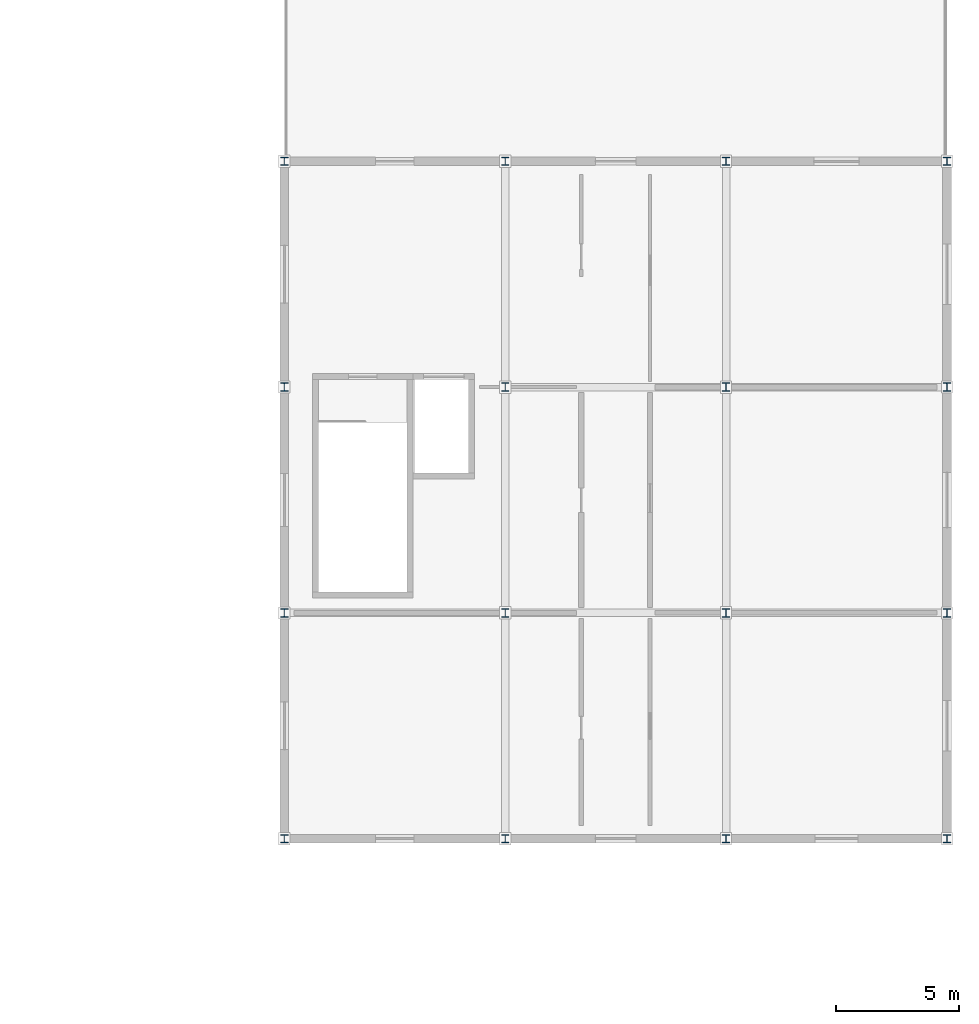
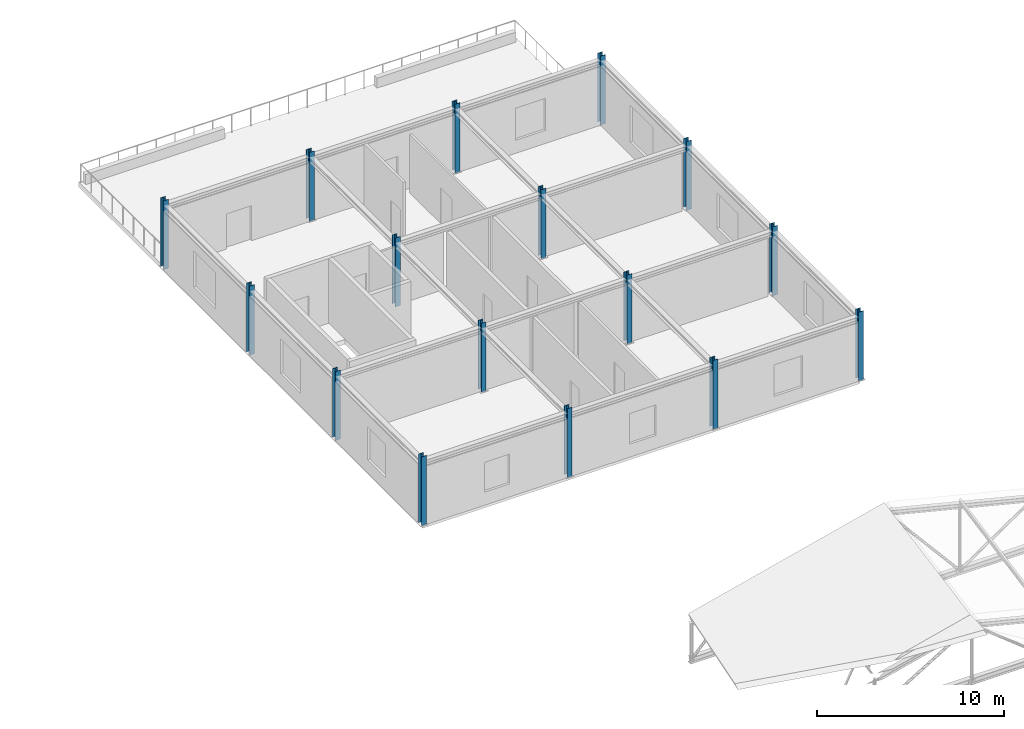
# One storey, part 4 of 33: 16 columns.
"""IFC4 building model written with IfcOpenShell, lengths in metres."""

from ifc_helpers import new_model, si_unit, direction, frame, origin, origin_2d, place, context, subcontext, project, spatial, i_section, extrude, material, material_profile, profile_set, type_object, element, save


model = new_model("IFC4")

# Units and contexts
model_context = context("Model", 3, precision=1e-05, world=origin(), true_north=direction((0.0, 1.0)))
body_context = subcontext(model_context, "Body", "Model", "MODEL_VIEW")
ifc_project = project(units=[si_unit("LENGTHUNIT", "METRE"), si_unit("AREAUNIT", "SQUARE_METRE"), si_unit("VOLUMEUNIT", "CUBIC_METRE"), si_unit("PLANEANGLEUNIT", "RADIAN"), si_unit("MASSUNIT", "GRAM", prefix="KILO")], contexts=[model_context])

# Site, building, storey
site_placement = place(None, origin())
site = spatial("IfcSite", under=ifc_project, at=site_placement, CompositionType="ELEMENT")
building_placement = place(site_placement, origin())
building = spatial("IfcBuilding", under=site, at=building_placement, Name="Bozkorgan Art Gallery", CompositionType="ELEMENT")
storey_placement = place(building_placement, frame((0.0, 0.0, 19.5)))
storey = spatial("IfcBuildingStorey", under=building, at=storey_placement, Name="L04", CompositionType="ELEMENT", Elevation=19.5)

# Columns
ifc_material = material(Name="Steel S355J2", Category="steel")
ifc_material_profile_1 = material_profile(ifc_material, i_section(OverallWidth=0.300048828125, OverallDepth=0.340087890625, WebThickness=0.011962890625, FlangeThickness=0.021484375, FilletRadius=0.027099609375, at=origin_2d()), Name="HEB 340")
ifc_profile_set_1 = profile_set([ifc_material_profile_1], Name="Steel S355J2")
column_type_1 = type_object("IfcColumnType", Name="COLUMN-C-51", PredefinedType="COLUMN", material=ifc_profile_set_1)
for number, where, z_axis, x_axis, name in (
    (1, (137.0, 66.0, 0.0), (0.0, 0.0, 1.0), (1.0, 0.0, 0.0), "V5 L04 column (137.0, 66.0)"),
    (2, (137.0, 75.199951171875, 0.0), (0.0, 0.0, 1.0), (1.0, 0.0, 0.0), "V5 L04 column (137.0, 75.2)"),
    (3, (137.0, 84.39990234375, 0.0), (0.0, 0.0, 1.0), (1.0, 0.0, 0.0), "V5 L04 column (137.0, 84.4)"),
    (4, (137.0, 93.60009765625, 0.0), (0.0, 0.0, 1.0), (1.0, 0.0, 0.0), "V5 L04 column (137.0, 93.6)"),
    (5, (146.0, 66.0, 0.0), (0.0, 0.0, 1.0), (1.0, 0.0, 0.0), "V5 L04 column (146.0, 66.0)"),
    (6, (146.0, 93.60009765625, 0.0), (0.0, 0.0, 1.0), (1.0, 0.0, 0.0), "V5 L04 column (146.0, 93.6)"),
    (7, (155.0, 66.0, 0.0), (0.0, 0.0, 1.0), (1.0, 0.0, 0.0), "V5 L04 column (155.0, 66.0)"),
    (8, (155.0, 93.60009765625, 0.0), (0.0, 0.0, 1.0), (1.0, 0.0, 0.0), "V5 L04 column (155.0, 93.6)"),
    (9, (164.0, 66.0, 0.0), (0.0, 0.0, 1.0), (1.0, 0.0, 0.0), "V5 L04 column (164.0, 66.0)"),
    (10, (164.0, 75.199951171875, 0.0), (0.0, 0.0, 1.0), (1.0, 0.0, 0.0), "V5 L04 column (164.0, 75.2)"),
    (11, (164.0, 84.39990234375, 0.0), (0.0, 0.0, 1.0), (1.0, 0.0, 0.0), "V5 L04 column (164.0, 84.4)"),
    (12, (164.0, 93.60009765625, 0.0), (0.0, 0.0, 1.0), (1.0, 0.0, 0.0), "V5 L04 column (164.0, 93.6)"),
):
    element("IfcColumn", number, at=place(storey_placement, frame(where, z_axis=z_axis, x_axis=x_axis)), inside=storey, type_object=column_type_1, Name=name, PredefinedType="COLUMN", context=body_context, shape_type="SweptSolid", body=[
        extrude(i_section(OverallWidth=0.300048828125, OverallDepth=0.340087890625, WebThickness=0.011962890625, FlangeThickness=0.021484375, FilletRadius=0.027099609375, at=origin_2d()), origin(), (0.0, 0.0, 1.0), 4.5),
    ])
ifc_material_profile_2 = material_profile(ifc_material, i_section(OverallWidth=0.300048828125, OverallDepth=0.35009765625, WebThickness=0.010009765625, FlangeThickness=0.017578125, FilletRadius=0.027099609375, at=origin_2d()), Name="HEA 360")
ifc_profile_set_2 = profile_set([ifc_material_profile_2], Name="Steel S355J2")
column_type_2 = type_object("IfcColumnType", Name="COLUMN-C-59", PredefinedType="COLUMN", material=ifc_profile_set_2)
for number, where, z_axis, x_axis, name in (
    (13, (146.0, 75.199951171875, 0.0), (0.0, 0.0, 1.0), (1.0, 0.0, 0.0), "V5 L04 column (146.0, 75.2)"),
    (14, (146.0, 84.39990234375, 0.0), (0.0, 0.0, 1.0), (1.0, 0.0, 0.0), "V5 L04 column (146.0, 84.4)"),
    (15, (155.0, 75.199951171875, 0.0), (0.0, 0.0, 1.0), (1.0, 0.0, 0.0), "V5 L04 column (155.0, 75.2)"),
    (16, (155.0, 84.39990234375, 0.0), (0.0, 0.0, 1.0), (1.0, 0.0, 0.0), "V5 L04 column (155.0, 84.4)"),
):
    element("IfcColumn", number, at=place(storey_placement, frame(where, z_axis=z_axis, x_axis=x_axis)), inside=storey, type_object=column_type_2, Name=name, PredefinedType="COLUMN", context=body_context, shape_type="SweptSolid", body=[
        extrude(i_section(OverallWidth=0.300048828125, OverallDepth=0.35009765625, WebThickness=0.010009765625, FlangeThickness=0.017578125, FilletRadius=0.027099609375, at=origin_2d()), origin(), (0.0, 0.0, 1.0), 4.5),
    ])

save(model, "model.ifc")
